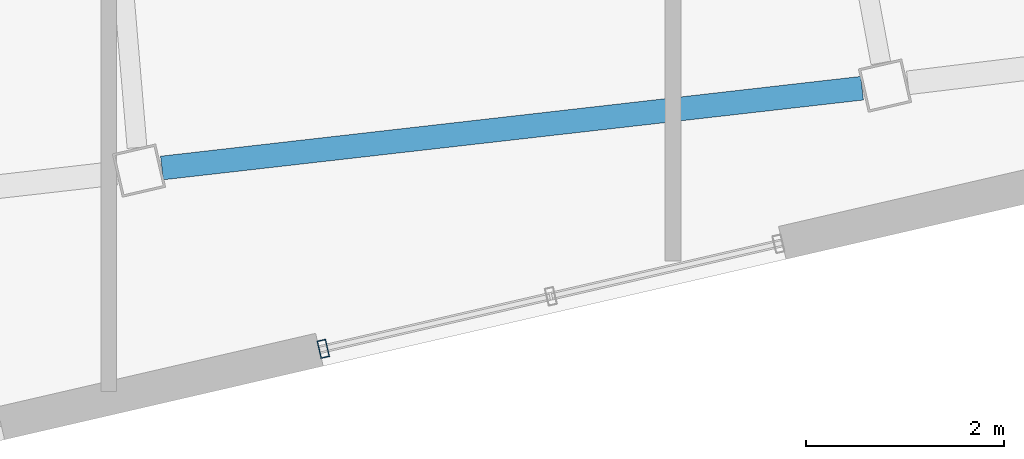
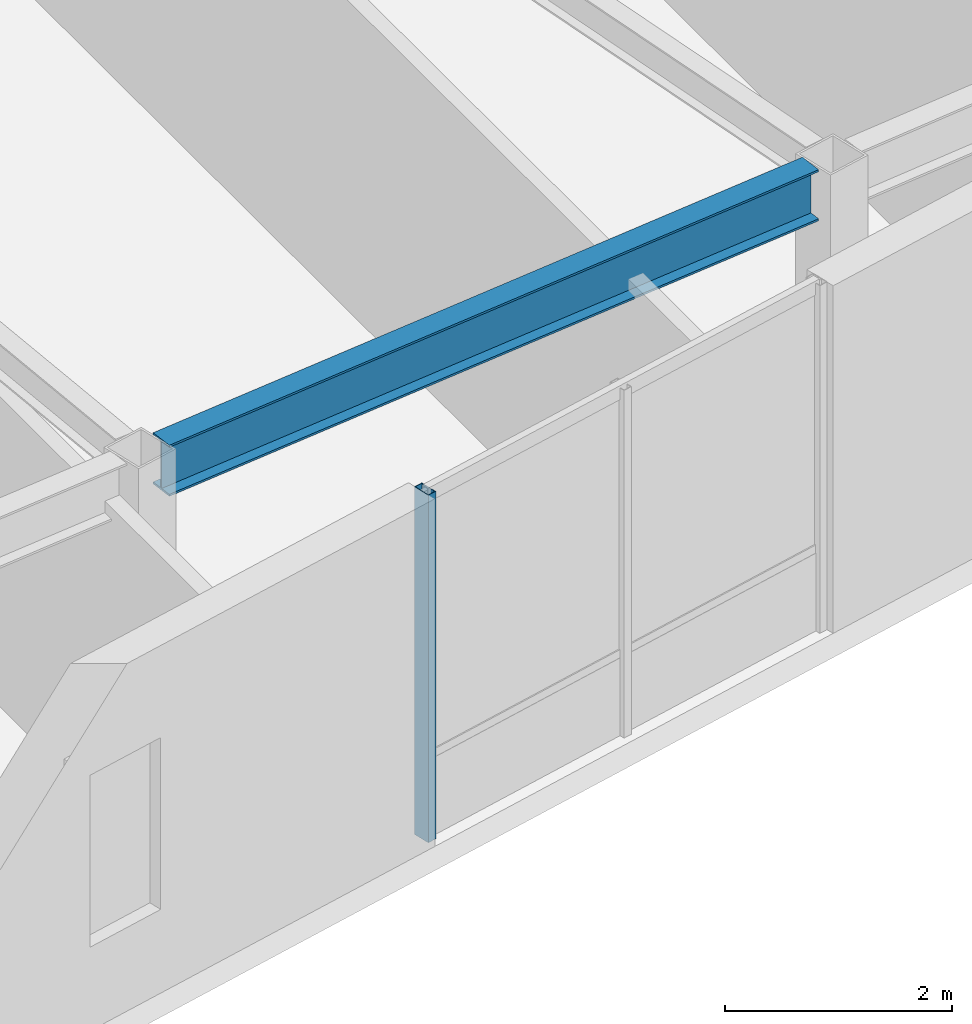
# One storey, part 6 of 24: 1 beam, 1 member, 1 element without a shape of its own.
"""IFC4 building model written with IfcOpenShell, lengths in metres."""

from ifc_helpers import new_model, si_unit, direction, frame, origin, origin_2d, place, context, subcontext, project, spatial, hollow_rectangle, i_section, extrude, material, layer, layer_set, material_profile, profile_set, type_object, element, aggregate, save


model = new_model("IFC4")

# Units and contexts
model_context = context("Model", 3, precision=1e-05, world=origin(), true_north=direction((0.0, 1.0)))
body_context = subcontext(model_context, "Body", "Model", "MODEL_VIEW")
ifc_project = project(units=[si_unit("LENGTHUNIT", "METRE"), si_unit("AREAUNIT", "SQUARE_METRE"), si_unit("VOLUMEUNIT", "CUBIC_METRE"), si_unit("PLANEANGLEUNIT", "RADIAN"), si_unit("MASSUNIT", "GRAM", prefix="KILO")], contexts=[model_context])

# Site, building, storey
site_placement = place(None, origin())
site = spatial("IfcSite", under=ifc_project, at=site_placement, CompositionType="ELEMENT")
building_placement = place(site_placement, origin())
building = spatial("IfcBuilding", under=site, at=building_placement, Name="Tavrogorsk Clinical Tower", CompositionType="ELEMENT")
storey_placement = place(building_placement, frame((0.0, 0.0, 309.0)))
storey = spatial("IfcBuildingStorey", under=building, at=storey_placement, Name="L72", CompositionType="ELEMENT", Elevation=309.0)

# Curtain wall, member
ifc_material_1 = material(Name="Anodised aluminium and triple IGU glazing", Category="aluminium")
ifc_layer = layer(ifc_material_1, 0.179931640625)
ifc_layer_set = layer_set([ifc_layer], Name="Anodised aluminium and triple IGU glazing")
curtain_wall_type = type_object("IfcCurtainWallType", Name="CW3_SouthSlot", PredefinedType="NOTDEFINED", material=ifc_layer_set)
curtain_wall_placement = place(storey_placement, origin())
curtain_wall = element("IfcCurtainWall", 1, at=curtain_wall_placement, inside=storey, type_object=curtain_wall_type, Name="L72 Curtain Wall CW-L72-S-SLOT-1", PredefinedType="NOTDEFINED")
ifc_material_2 = material(Name="Anodised aluminium alloy AW-6060", Category="aluminium")
ifc_material_profile_1 = material_profile(ifc_material_2, hollow_rectangle(XDim=0.090087890625, YDim=0.179931640625, WallThickness=0.00634765625, at=origin_2d()), Name="RHS-180x90x6.3")
ifc_profile_set_1 = profile_set([ifc_material_profile_1], Name="Anodised aluminium alloy AW-6060")
member_type = type_object("IfcMemberType", Name="CwMullion_180x90", PredefinedType="MULLION", material=ifc_profile_set_1)
member_placement = place(storey_placement, frame((-6.93212890625, -25.968994140625, 0.0), z_axis=(0.0, 0.0, 1.0), x_axis=(0.974370057377, 0.224951086434, 0.0)))
member = element("IfcMember", 2, at=member_placement, type_object=member_type, Name="CW-L72-S-SLOT-1 Mullion 1", PredefinedType="MULLION", context=body_context, shape_type="SweptSolid", body=[
    extrude(hollow_rectangle(XDim=0.090087890625, YDim=0.179931640625, WallThickness=0.00634765625, at=origin_2d()), origin(), (0.0, 0.0, 1.0), 3.739990234375),
])
aggregate(curtain_wall, [member])

# Beam
ifc_material_3 = material(Name="Structural steel S390", Category="steel")
ifc_material_profile_2 = material_profile(ifc_material_3, i_section(OverallWidth=0.239990234375, OverallDepth=0.550048828125, WebThickness=0.013916015625, FlangeThickness=0.02197265625, at=origin_2d()), Name="B-550x240x14x22")
ifc_profile_set_2 = profile_set([ifc_material_profile_2], Name="Structural steel S390")
beam_type = type_object("IfcBeamType", Name="SpandrelBeam_B550", PredefinedType="SPANDREL", material=ifc_profile_set_2)
beam_placement = place(storey_placement, frame((-8.5625, -24.14208984375, 3.465087890625), z_axis=(0.993572073137, 0.113201305126, 0.0), x_axis=(-0.113201305126, 0.993572073137, 0.0)))
element("IfcBeam", 3, at=beam_placement, inside=storey, type_object=beam_type, Name="L72 Perimeter Spandrel S3-S4", PredefinedType="SPANDREL", context=body_context, shape_type="SweptSolid", body=[
    extrude(i_section(OverallWidth=0.239990234375, OverallDepth=0.550048828125, WebThickness=0.013916015625, FlangeThickness=0.02197265625, at=origin_2d()), origin(), (0.0, 0.0, 1.0), 7.119140625),
])

save(model, "model.ifc")
